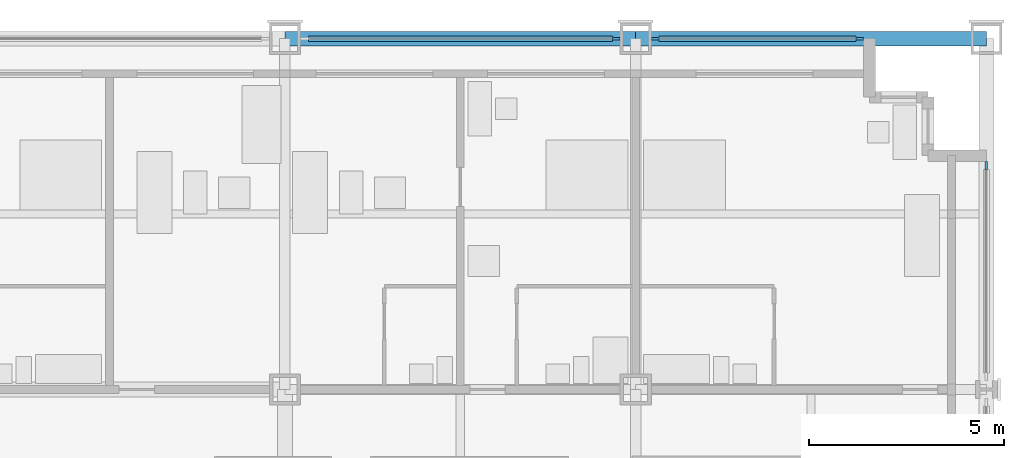
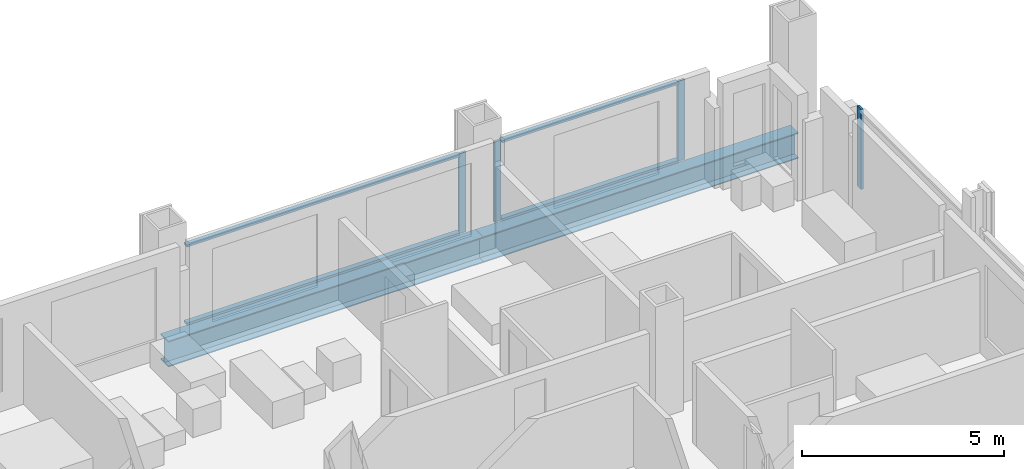
# One storey, part 8 of 18: 8 members, 2 beams, 3 elements without a shape of their own.
"""IFC4 building model written with IfcOpenShell, lengths in metres."""

from ifc_helpers import new_model, si_unit, direction, frame, origin, origin_2d, place, context, subcontext, project, spatial, rectangle, i_section, extrude, material, material_profile, profile_set, type_object, element, aggregate, save


model = new_model("IFC4")

# Units and contexts
model_context = context("Model", 3, precision=1e-05, world=origin(), true_north=direction((0.0, 1.0)))
body_context = subcontext(model_context, "Body", "Model", "MODEL_VIEW")
ifc_project = project(units=[si_unit("LENGTHUNIT", "METRE"), si_unit("AREAUNIT", "SQUARE_METRE"), si_unit("VOLUMEUNIT", "CUBIC_METRE"), si_unit("PLANEANGLEUNIT", "RADIAN"), si_unit("MASSUNIT", "GRAM", prefix="KILO")], contexts=[model_context])

# Site, building, storey
site_placement = place(None, origin())
site = spatial("IfcSite", under=ifc_project, at=site_placement, CompositionType="ELEMENT")
building_placement = place(site_placement, origin())
building = spatial("IfcBuilding", under=site, at=building_placement, Name="Loomwork Tower", CompositionType="ELEMENT")
storey_placement = place(building_placement, frame((0.0, 0.0, 75.60009765625)))
storey = spatial("IfcBuildingStorey", under=building, at=storey_placement, Name="L19", CompositionType="ELEMENT", Elevation=75.60009765625)

# Curtain wall, member
ifc_material_1 = material(Name="Aluminium curtain wall frame", Category="aluminium")
curtain_wall_type = type_object("IfcCurtainWallType", Name="Outer skin glazing hotel", PredefinedType="NOTDEFINED", material=ifc_material_1)
curtain_wall_1_placement = place(storey_placement, origin())
curtain_wall_1 = element("IfcCurtainWall", 1, at=curtain_wall_1_placement, inside=storey, type_object=curtain_wall_type, Name="Outer skin glazing hotel cw/N-36", PredefinedType="NOTDEFINED")
ifc_material_2 = material(Name="Aluminium curtain wall frame", Category="aluminium")
ifc_material_profile_1 = material_profile(ifc_material_2, rectangle(XDim=0.06494140625, YDim=0.199951171875, at=origin_2d()), Name="AL 65x200")
ifc_profile_set_1 = profile_set([ifc_material_profile_1], Name="Aluminium curtain wall frame")
member_type_1 = type_object("IfcMemberType", Name="Outer skin glazing hotel mullion", PredefinedType="MULLION", material=ifc_profile_set_1)
member_1_placement = place(storey_placement, frame((44.5, 36.0, 0.0), z_axis=(0.0, 0.0, 1.0), x_axis=(0.0, -1.0, 0.0)))
member_1 = element("IfcMember", 2, at=member_1_placement, type_object=member_type_1, Name="CW1 mullion 1", PredefinedType="MULLION", context=body_context, shape_type="SweptSolid", body=[
    extrude(rectangle(XDim=0.06494140625, YDim=0.199951171875, at=origin_2d()), origin(), (0.0, 0.0, 1.0), 2.420166015625),
])

# Curtain wall, members
curtain_wall_2_placement = place(storey_placement, origin())
curtain_wall_2 = element("IfcCurtainWall", 3, at=curtain_wall_2_placement, inside=storey, type_object=curtain_wall_type, Name="Outer skin glazing hotel cw/N-45", PredefinedType="NOTDEFINED")
member_2_placement = place(storey_placement, frame((50.75, 36.0, 0.0), z_axis=(0.0, 0.0, 1.0), x_axis=(0.0, -1.0, 0.0)))
member_2 = element("IfcMember", 4, at=member_2_placement, type_object=member_type_1, Name="CW1 mullion 1", PredefinedType="MULLION", context=body_context, shape_type="SweptSolid", body=[
    extrude(rectangle(XDim=0.06494140625, YDim=0.199951171875, at=origin_2d()), origin(), (0.0, 0.0, 1.0), 2.420166015625),
])
member_3_placement = place(storey_placement, frame((45.5, 36.0, 0.0), z_axis=(0.0, 0.0, 1.0), x_axis=(0.0, -1.0, 0.0)))
member_3 = element("IfcMember", 5, at=member_3_placement, type_object=member_type_1, Name="CW1 mullion 2", PredefinedType="MULLION", context=body_context, shape_type="SweptSolid", body=[
    extrude(rectangle(XDim=0.06494140625, YDim=0.199951171875, at=origin_2d()), origin(), (0.0, 0.0, 1.0), 2.420166015625),
])

# Curtain wall, member
curtain_wall_3_placement = place(storey_placement, origin())
curtain_wall_3 = element("IfcCurtainWall", 6, at=curtain_wall_3_placement, inside=storey, type_object=curtain_wall_type, Name="Outer skin glazing hotel cw/E-27", PredefinedType="NOTDEFINED")
member_4_placement = place(storey_placement, frame((54.0, 32.75, 0.0), z_axis=(0.0, 0.0, 1.0), x_axis=(-1.0, 0.0, 0.0)))
member_4 = element("IfcMember", 7, at=member_4_placement, type_object=member_type_1, Name="CW1 mullion 2", PredefinedType="MULLION", context=body_context, shape_type="SweptSolid", body=[
    extrude(rectangle(XDim=0.06494140625, YDim=0.199951171875, at=origin_2d()), origin(), (0.0, 0.0, 1.0), 2.420166015625),
])
aggregate(curtain_wall_3, [member_4])

# Member
ifc_material_3 = material(Name="Aluminium curtain wall frame", Category="aluminium")
ifc_material_profile_2 = material_profile(ifc_material_3, rectangle(XDim=0.14990234375, YDim=0.06494140625, at=origin_2d()), Name="AL 65x150")
ifc_profile_set_2 = profile_set([ifc_material_profile_2], Name="Aluminium curtain wall frame")
member_type_2 = type_object("IfcMemberType", Name="Outer skin glazing hotel transom", PredefinedType="USERDEFINED", material=ifc_profile_set_2)
member_5_placement = place(storey_placement, frame((44.39990234375, 36.0, 0.032470703125), z_axis=(-1.0, 0.0, 0.0), x_axis=(0.0, -1.0, 0.0)))
member_5 = element("IfcMember", 8, at=member_5_placement, type_object=member_type_2, Name="CW1 transom 1.1", ObjectType="TRANSOM", PredefinedType="USERDEFINED", context=body_context, shape_type="SweptSolid", body=[
    extrude(rectangle(XDim=0.14990234375, YDim=0.06494140625, at=origin_2d()), origin(), (0.0, 0.0, 1.0), 7.7998046875),
])

member_6_placement = place(storey_placement, frame((44.39990234375, 36.0, 2.3876953125), z_axis=(-1.0, 0.0, 0.0), x_axis=(0.0, -1.0, 0.0)))
member_6 = element("IfcMember", 9, at=member_6_placement, type_object=member_type_2, Name="CW1 transom 1.2", ObjectType="TRANSOM", PredefinedType="USERDEFINED", context=body_context, shape_type="SweptSolid", body=[
    extrude(rectangle(XDim=0.14990234375, YDim=0.06494140625, at=origin_2d()), origin(), (0.0, 0.0, 1.0), 7.7998046875),
])

aggregate(curtain_wall_1, [member_1, member_5, member_6])

member_7_placement = place(storey_placement, frame((50.64990234375, 36.0, 0.032470703125), z_axis=(-1.0, 0.0, 0.0), x_axis=(0.0, -1.0, 0.0)))
member_7 = element("IfcMember", 10, at=member_7_placement, type_object=member_type_2, Name="CW1 transom 1.1", ObjectType="TRANSOM", PredefinedType="USERDEFINED", context=body_context, shape_type="SweptSolid", body=[
    extrude(rectangle(XDim=0.14990234375, YDim=0.06494140625, at=origin_2d()), origin(), (0.0, 0.0, 1.0), 5.0498046875),
])

member_8_placement = place(storey_placement, frame((50.64990234375, 36.0, 2.3876953125), z_axis=(-1.0, 0.0, 0.0), x_axis=(0.0, -1.0, 0.0)))
member_8 = element("IfcMember", 11, at=member_8_placement, type_object=member_type_2, Name="CW1 transom 1.2", ObjectType="TRANSOM", PredefinedType="USERDEFINED", context=body_context, shape_type="SweptSolid", body=[
    extrude(rectangle(XDim=0.14990234375, YDim=0.06494140625, at=origin_2d()), origin(), (0.0, 0.0, 1.0), 5.0498046875),
])

aggregate(curtain_wall_2, [member_2, member_3, member_7, member_8])

# Beams
ifc_material_4 = material(Name="Steel ASTM A992", Category="steel")
ifc_material_profile_3 = material_profile(ifc_material_4, i_section(OverallWidth=0.381103515625, OverallDepth=0.77978515625, WebThickness=0.01806640625, FlangeThickness=0.0302734375, at=origin_2d()), Name="W30x191")
ifc_profile_set_3 = profile_set([ifc_material_profile_3], Name="Steel ASTM A992")
beam_type = type_object("IfcBeamType", Name="SPANDREL GIRDER W30x191", PredefinedType="SPANDREL", material=ifc_profile_set_3)
for number, where, z_axis, x_axis, name in (
    (12, (36.0, 36.0, -0.590087890625), (1.0, 0.0, 0.0), (0.0, 1.0, 0.0), "Spandrel Girder H/6-H/7 L19"),
    (13, (45.0, 36.0, -0.590087890625), (1.0, 0.0, 0.0), (0.0, 1.0, 0.0), "Spandrel Girder H/7-H/8 L19"),
):
    element("IfcBeam", number, at=place(storey_placement, frame(where, z_axis=z_axis, x_axis=x_axis)), inside=storey, type_object=beam_type, Name=name, PredefinedType="SPANDREL", context=body_context, shape_type="SweptSolid", body=[
        extrude(i_section(OverallWidth=0.381103515625, OverallDepth=0.77978515625, WebThickness=0.01806640625, FlangeThickness=0.0302734375, at=origin_2d()), origin(), (0.0, 0.0, 1.0), 9.0),
    ])

save(model, "model.ifc")
